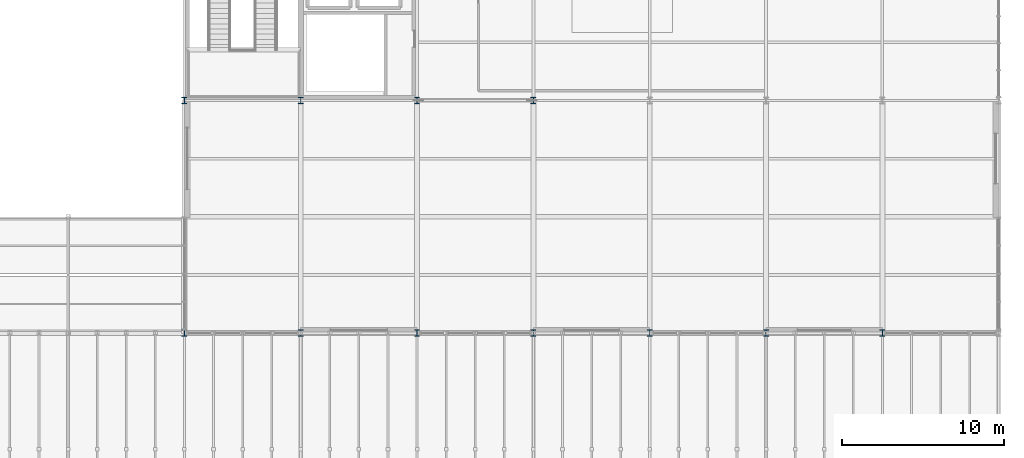
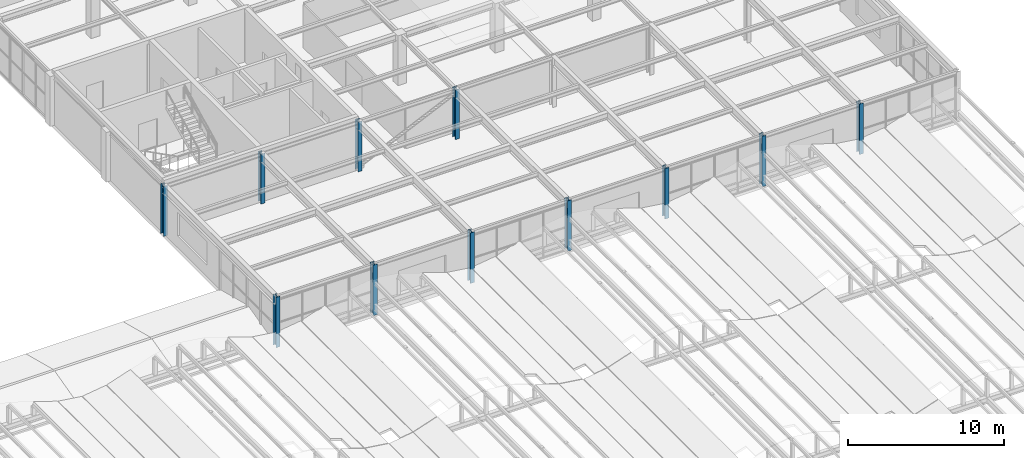
# One storey, part 3 of 83: 11 columns.
"""IFC4 building model written with IfcOpenShell, lengths in metres."""

from ifc_helpers import new_model, si_unit, direction, frame, origin, origin_2d, place, context, subcontext, project, spatial, i_section, extrude, material, material_profile, profile_set, type_object, element, save


model = new_model("IFC4")

# Units and contexts
model_context = context("Model", 3, precision=1e-05, world=origin(), true_north=direction((0.0, 1.0)))
body_context = subcontext(model_context, "Body", "Model", "MODEL_VIEW")
ifc_project = project(units=[si_unit("LENGTHUNIT", "METRE"), si_unit("AREAUNIT", "SQUARE_METRE"), si_unit("VOLUMEUNIT", "CUBIC_METRE"), si_unit("PLANEANGLEUNIT", "RADIAN"), si_unit("MASSUNIT", "GRAM", prefix="KILO")], contexts=[model_context])

# Site, building, storey
site_placement = place(None, origin())
site = spatial("IfcSite", under=ifc_project, at=site_placement, CompositionType="ELEMENT")
building_placement = place(site_placement, origin())
building = spatial("IfcBuilding", under=site, at=building_placement, Name="Leyfeld Transit Interchange", CompositionType="ELEMENT")
storey_placement = place(building_placement, frame((0.0, 0.0, 5.39990234375)))
storey = spatial("IfcBuildingStorey", under=building, at=storey_placement, Name="L01", CompositionType="ELEMENT", Elevation=5.39990234375)

# Columns
ifc_material = material(Name="Steel S355J2", Category="steel")
ifc_material_profile = material_profile(ifc_material, i_section(OverallWidth=0.300048828125, OverallDepth=0.39990234375, WebThickness=0.013427734375, FlangeThickness=0.02392578125, FilletRadius=0.027099609375, at=origin_2d()), Name="HEB 400")
ifc_profile_set = profile_set([ifc_material_profile], Name="Steel S355J2")
column_type = type_object("IfcColumnType", Name="COL-STL-HEB400", PredefinedType="COLUMN", material=ifc_profile_set)
column_1_placement = place(storey_placement, frame((136.800048828125, 43.199951171875, 0.0), z_axis=(0.0, 0.0, 1.0), x_axis=(1.0, 0.0, 0.0)))
element("IfcColumn", 1, at=column_1_placement, inside=storey, type_object=column_type, Name="Column COL-L01-1368_0432", PredefinedType="COLUMN", context=body_context, shape_type="SweptSolid", body=[
    extrude(i_section(OverallWidth=0.300048828125, OverallDepth=0.39990234375, WebThickness=0.013427734375, FlangeThickness=0.02392578125, FilletRadius=0.027099609375, at=origin_2d()), origin(), (0.0, 0.0, 1.0), 3.9501953125),
])
column_2_placement = place(storey_placement, frame((136.800048828125, 57.60009765625, 0.0), z_axis=(0.0, 0.0, 1.0), x_axis=(1.0, 0.0, 0.0)))
element("IfcColumn", 2, at=column_2_placement, inside=storey, type_object=column_type, Name="Column COL-L01-1368_0576", PredefinedType="COLUMN", context=body_context, shape_type="SweptSolid", body=[
    extrude(i_section(OverallWidth=0.300048828125, OverallDepth=0.39990234375, WebThickness=0.013427734375, FlangeThickness=0.02392578125, FilletRadius=0.027099609375, at=origin_2d()), origin(), (0.0, 0.0, 1.0), 3.900146484375),
])
column_3_placement = place(storey_placement, frame((144.0, 43.199951171875, 0.0), z_axis=(0.0, 0.0, 1.0), x_axis=(1.0, 0.0, 0.0)))
element("IfcColumn", 3, at=column_3_placement, inside=storey, type_object=column_type, Name="Column COL-L01-1440_0432", PredefinedType="COLUMN", context=body_context, shape_type="SweptSolid", body=[
    extrude(i_section(OverallWidth=0.300048828125, OverallDepth=0.39990234375, WebThickness=0.013427734375, FlangeThickness=0.02392578125, FilletRadius=0.027099609375, at=origin_2d()), origin(), (0.0, 0.0, 1.0), 3.9501953125),
])
column_4_placement = place(storey_placement, frame((144.0, 57.60009765625, 0.0), z_axis=(0.0, 0.0, 1.0), x_axis=(1.0, 0.0, 0.0)))
element("IfcColumn", 4, at=column_4_placement, inside=storey, type_object=column_type, Name="Column COL-L01-1440_0576", PredefinedType="COLUMN", context=body_context, shape_type="SweptSolid", body=[
    extrude(i_section(OverallWidth=0.300048828125, OverallDepth=0.39990234375, WebThickness=0.013427734375, FlangeThickness=0.02392578125, FilletRadius=0.027099609375, at=origin_2d()), origin(), (0.0, 0.0, 1.0), 3.900146484375),
])
column_5_placement = place(storey_placement, frame((151.199951171875, 43.199951171875, 0.0), z_axis=(0.0, 0.0, 1.0), x_axis=(1.0, 0.0, 0.0)))
element("IfcColumn", 5, at=column_5_placement, inside=storey, type_object=column_type, Name="Column COL-L01-1512_0432", PredefinedType="COLUMN", context=body_context, shape_type="SweptSolid", body=[
    extrude(i_section(OverallWidth=0.300048828125, OverallDepth=0.39990234375, WebThickness=0.013427734375, FlangeThickness=0.02392578125, FilletRadius=0.027099609375, at=origin_2d()), origin(), (0.0, 0.0, 1.0), 3.9501953125),
])
column_6_placement = place(storey_placement, frame((151.199951171875, 57.60009765625, 0.0), z_axis=(0.0, 0.0, 1.0), x_axis=(1.0, 0.0, 0.0)))
element("IfcColumn", 6, at=column_6_placement, inside=storey, type_object=column_type, Name="Column COL-L01-1512_0576", PredefinedType="COLUMN", context=body_context, shape_type="SweptSolid", body=[
    extrude(i_section(OverallWidth=0.300048828125, OverallDepth=0.39990234375, WebThickness=0.013427734375, FlangeThickness=0.02392578125, FilletRadius=0.027099609375, at=origin_2d()), origin(), (0.0, 0.0, 1.0), 3.900146484375),
])
column_7_placement = place(storey_placement, frame((158.39990234375, 43.199951171875, 0.0), z_axis=(0.0, 0.0, 1.0), x_axis=(1.0, 0.0, 0.0)))
element("IfcColumn", 7, at=column_7_placement, inside=storey, type_object=column_type, Name="Column COL-L01-1584_0432", PredefinedType="COLUMN", context=body_context, shape_type="SweptSolid", body=[
    extrude(i_section(OverallWidth=0.300048828125, OverallDepth=0.39990234375, WebThickness=0.013427734375, FlangeThickness=0.02392578125, FilletRadius=0.027099609375, at=origin_2d()), origin(), (0.0, 0.0, 1.0), 3.9501953125),
])
column_8_placement = place(storey_placement, frame((158.39990234375, 57.60009765625, 0.0), z_axis=(0.0, 0.0, 1.0), x_axis=(1.0, 0.0, 0.0)))
element("IfcColumn", 8, at=column_8_placement, inside=storey, type_object=column_type, Name="Column COL-L01-1584_0576", PredefinedType="COLUMN", context=body_context, shape_type="SweptSolid", body=[
    extrude(i_section(OverallWidth=0.300048828125, OverallDepth=0.39990234375, WebThickness=0.013427734375, FlangeThickness=0.02392578125, FilletRadius=0.027099609375, at=origin_2d()), origin(), (0.0, 0.0, 1.0), 3.900146484375),
])
for number, where, z_axis, x_axis, name in (
    (9, (165.60009765625, 43.199951171875, 0.0), (0.0, 0.0, 1.0), (1.0, 0.0, 0.0), "Column COL-L01-1656_0432"),
    (10, (172.800048828125, 43.199951171875, 0.0), (0.0, 0.0, 1.0), (1.0, 0.0, 0.0), "Column COL-L01-1728_0432"),
    (11, (180.0, 43.199951171875, 0.0), (0.0, 0.0, 1.0), (1.0, 0.0, 0.0), "Column COL-L01-1800_0432"),
):
    element("IfcColumn", number, at=place(storey_placement, frame(where, z_axis=z_axis, x_axis=x_axis)), inside=storey, type_object=column_type, Name=name, PredefinedType="COLUMN", context=body_context, shape_type="SweptSolid", body=[
        extrude(i_section(OverallWidth=0.300048828125, OverallDepth=0.39990234375, WebThickness=0.013427734375, FlangeThickness=0.02392578125, FilletRadius=0.027099609375, at=origin_2d()), origin(), (0.0, 0.0, 1.0), 3.9501953125),
    ])

save(model, "model.ifc")
